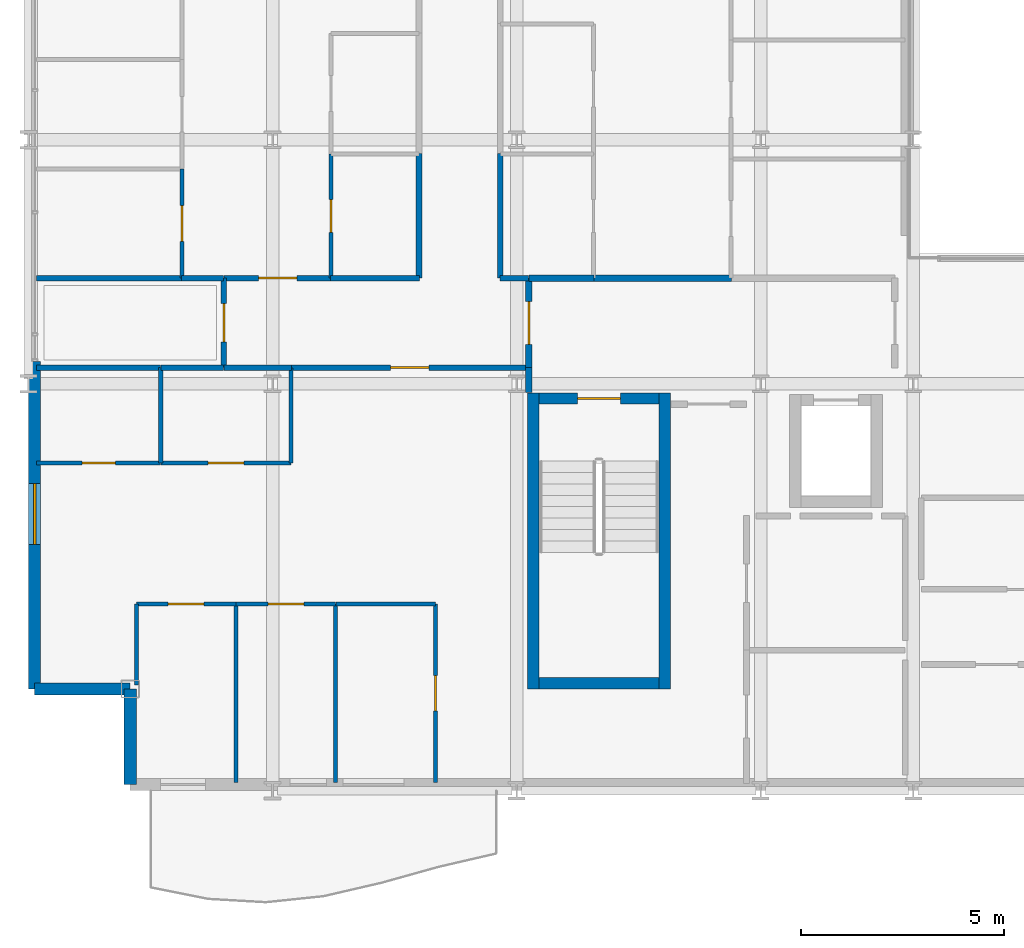
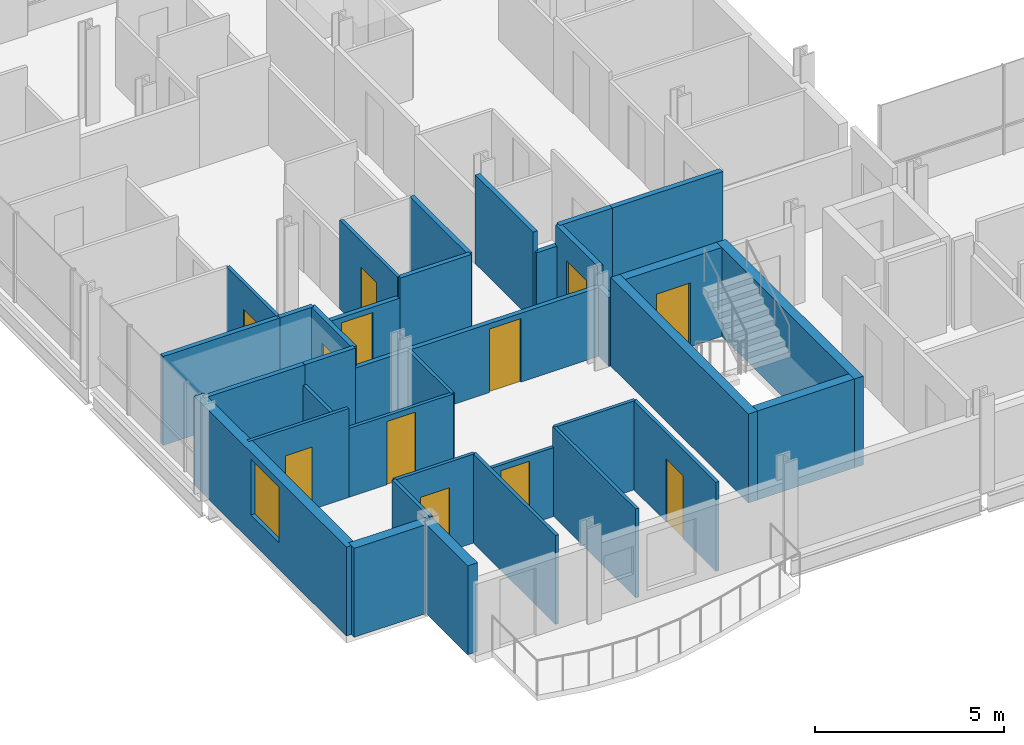
# One storey, part 31 of 41: 36 walls, 12 doors, 1 window, 13 openings.
"""IFC4 building model written with IfcOpenShell, lengths in metres."""

from ifc_helpers import new_model, si_unit, direction, frame, frame_2d, origin, place, context, subcontext, project, spatial, rectangle, extrude, material, layer, layer_set, type_object, element, fill, save


model = new_model("IFC4")

# Units and contexts
model_context = context("Model", 3, precision=1e-05, world=origin(), true_north=direction((0.0, 1.0)))
body_context = subcontext(model_context, "Body", "Model", "MODEL_VIEW")
ifc_project = project(units=[si_unit("LENGTHUNIT", "METRE"), si_unit("AREAUNIT", "SQUARE_METRE"), si_unit("VOLUMEUNIT", "CUBIC_METRE"), si_unit("PLANEANGLEUNIT", "RADIAN"), si_unit("MASSUNIT", "GRAM", prefix="KILO")], contexts=[model_context])

# Site, building, storey
site_placement = place(None, origin())
site = spatial("IfcSite", under=ifc_project, at=site_placement, CompositionType="ELEMENT")
building_placement = place(site_placement, origin())
building = spatial("IfcBuilding", under=site, at=building_placement, Name="Brevholm Reach", CompositionType="ELEMENT")
storey_placement = place(building_placement, frame((0.0, 0.0, 68.300048828125)))
storey = spatial("IfcBuildingStorey", under=building, at=storey_placement, Name="L19", CompositionType="ELEMENT", Elevation=68.300048828125)

# Walls
ifc_material_1 = material(Name="Concrete C50/60", Category="concrete")
ifc_layer_1 = layer(ifc_material_1, 0.280029296875)
ifc_layer_set_1 = layer_set([ifc_layer_1], Name="Concrete C50/60")
wall_type_1 = type_object("IfcWallType", Name="WAL-COR-280", PredefinedType="SHEAR", material=ifc_layer_set_1)
for number, where, z_axis, x_axis, name in (
    (1, (12.409912109375, 2.5, 0.0), (0.0, 0.0, 1.0), (0.0, 1.0, 0.0), "L19 Escape Stair ST-1 Core Wall W"),
    (2, (15.639892578125, 2.5, 0.0), (0.0, 0.0, 1.0), (0.0, 1.0, 0.0), "L19 Escape Stair ST-1 Core Wall E"),
):
    element("IfcWall", number, at=place(storey_placement, frame(where, z_axis=z_axis, x_axis=x_axis)), inside=storey, type_object=wall_type_1, Name=name, PredefinedType="SHEAR", context=body_context, shape_type="SweptSolid", body=[
        extrude(rectangle(XDim=7.280029296875, YDim=0.280029296875, at=frame_2d((3.64013671875, 0.0))), origin(), (0.0, 0.0, 1.0), 2.869873046875),
    ])
wall_1_placement = place(storey_placement, frame((12.550048828125, 2.639892578125, 0.0), z_axis=(0.0, 0.0, 1.0), x_axis=(1.0, 0.0, 0.0)))
element("IfcWall", 3, at=wall_1_placement, inside=storey, type_object=wall_type_1, Name="L19 Escape Stair ST-1 Core Wall S", PredefinedType="SHEAR", context=body_context, shape_type="SweptSolid", body=[
    extrude(rectangle(XDim=2.949951171875, YDim=0.280029296875, at=frame_2d((1.47509765625, 0.0))), origin(), (0.0, 0.0, 1.0), 2.869873046875),
])

# Wall, opening, door
wall_2_placement = place(storey_placement, frame((15.5, 9.639892578125, 0.0), z_axis=(0.0, 0.0, 1.0), x_axis=(-1.0, 0.0, 0.0)))
wall_2 = element("IfcWall", 4, at=wall_2_placement, inside=storey, type_object=wall_type_1, Name="L19 Escape Stair ST-1 Core Wall N", PredefinedType="SHEAR", context=body_context, shape_type="SweptSolid", body=[
    extrude(rectangle(XDim=2.949951171875, YDim=0.280029296875, at=frame_2d((1.47509765625, 0.0))), origin(), (0.0, 0.0, 1.0), 2.869873046875),
])
opening_1_placement = place(wall_2_placement, frame((0.949951171875, 0.0, 0.0)))
opening_1 = element("IfcOpeningElement", 5, at=opening_1_placement, cuts=wall_2, Name="Opening SD-ST-1", PredefinedType="OPENING", context=body_context, shape_type="SweptSolid", body=[
    extrude(rectangle(XDim=1.050048828125, YDim=2.06005859375, at=frame_2d((0.52490234375, 1.030029296875))), frame((0.0, 0.14990234375, 0.0), z_axis=(0.0, -1.0, 0.0), x_axis=(1.0, 0.0, 0.0)), (0.0, 0.0, 1.0), 0.300048828125),
])
ifc_material_2 = material(Name="Hardwood-Lipped Steel-Core Fire and Smoke Door", Category="steel")
door_type_1 = type_object("IfcDoorType", Name="DOR-INT-FD60S", OperationType="NOTDEFINED", PredefinedType="DOOR", material=ifc_material_2)
door_1_placement = place(opening_1_placement, origin())
door_1 = element("IfcDoor", 6, at=door_1_placement, inside=storey, type_object=door_type_1, Name="L19 Protected Stair ST-1 Lobby Door", OperationType="SINGLE_SWING_LEFT", OverallHeight=2.06005859375, OverallWidth=1.050048828125, PredefinedType="DOOR", context=body_context, shape_type="SweptSolid", body=[
    extrude(rectangle(XDim=1.050048828125, YDim=2.06005859375, at=frame_2d((0.52490234375, 1.030029296875))), frame((0.0, 0.02490234375, 0.0), z_axis=(0.0, -1.0, 0.0), x_axis=(1.0, 0.0, 0.0)), (0.0, 0.0, 1.0), 0.050048828125),
])
fill(opening_1, door_1)

# Walls
ifc_material_3 = material(Name="Concrete C40/50", Category="concrete")
ifc_layer_2 = layer(ifc_material_3, 0.300048828125)
ifc_layer_set_2 = layer_set([ifc_layer_2], Name="Concrete C40/50")
wall_type_2 = type_object("IfcWallType", Name="WAL-EXT-300", PredefinedType="STANDARD", material=ifc_layer_set_2)
for number, where, z_axis, x_axis, name in (
    (7, (2.5, 2.5, 0.0), (0.0, 0.0, 1.0), (0.0, -1.0, 0.0), "L19 Facade Wall WAL-L19-CSW1"),
    (8, (0.14990234375, 2.5, 0.0), (0.0, 0.0, 1.0), (1.0, 0.0, 0.0), "L19 Facade Wall WAL-L19-CSW2"),
):
    element("IfcWall", number, at=place(storey_placement, frame(where, z_axis=z_axis, x_axis=x_axis)), inside=storey, type_object=wall_type_2, Name=name, PredefinedType="STANDARD", context=body_context, shape_type="SweptSolid", body=[
        extrude(rectangle(XDim=2.35009765625, YDim=0.300048828125, at=frame_2d((1.175048828125, 0.0))), origin(), (0.0, 0.0, 1.0), 2.869873046875),
    ])

# Wall, opening, window
wall_3_placement = place(storey_placement, frame((0.14990234375, 10.550048828125, 0.0), z_axis=(0.0, 0.0, 1.0), x_axis=(0.0, -1.0, 0.0)))
wall_3 = element("IfcWall", 9, at=wall_3_placement, inside=storey, type_object=wall_type_2, Name="L19 Facade Wall WAL-L19-W-S", PredefinedType="STANDARD", context=body_context, shape_type="SweptSolid", body=[
    extrude(rectangle(XDim=8.050048828125, YDim=0.300048828125, at=frame_2d((4.02490234375, 0.0))), origin(), (0.0, 0.0, 1.0), 2.869873046875),
])
opening_2_placement = place(wall_3_placement, frame((3.0, 0.0, 0.85009765625)))
opening_2 = element("IfcOpeningElement", 10, at=opening_2_placement, cuts=wall_3, Name="Opening WN-05", PredefinedType="OPENING", context=body_context, shape_type="SweptSolid", body=[
    extrude(rectangle(XDim=1.5, YDim=1.800048828125, at=frame_2d((0.75, 0.89990234375))), frame((0.0, 0.159912109375, 0.0), z_axis=(0.0, -1.0, 0.0), x_axis=(1.0, 0.0, 0.0)), (0.0, 0.0, 1.0), 0.320068359375),
])
ifc_material_4 = material(Name="Dark Anodised Aluminium and Solar-Control IGU Glass", Category="aluminium")
window_type = type_object("IfcWindowType", Name="WIN-RES-1500", PartitioningType="SINGLE_PANEL", PredefinedType="WINDOW", material=ifc_material_4)
window_placement = place(opening_2_placement, origin())
window = element("IfcWindow", 11, at=window_placement, inside=storey, type_object=window_type, Name="L19 Window WIN-L19-WS-1", OverallHeight=1.800048828125, OverallWidth=1.5, PartitioningType="SINGLE_PANEL", PredefinedType="WINDOW", context=body_context, shape_type="SweptSolid", body=[
    extrude(rectangle(XDim=1.5, YDim=1.800048828125, at=frame_2d((0.75, 0.89990234375))), frame((0.0, 0.030029296875, 0.0), z_axis=(0.0, -1.0, 0.0), x_axis=(1.0, 0.0, 0.0)), (0.0, 0.0, 1.0), 0.06005859375),
])
fill(opening_2, window)

# Wall
ifc_material_5 = material(Name="Moisture-Resistant Acoustic Gypsum Stud Partition 100 mm", Category="gypsum")
ifc_layer_3 = layer(ifc_material_5, 0.10009765625)
ifc_layer_set_3 = layer_set([ifc_layer_3], Name="Moisture-Resistant Acoustic Gypsum Stud Partition 100 mm")
wall_type_3 = type_object("IfcWallType", Name="WAL-PRT-100", PredefinedType="PARTITIONING", material=ifc_layer_set_3)
wall_4_placement = place(storey_placement, frame((3.25, 8.053955078125, 0.0), z_axis=(0.0, 0.0, 1.0), x_axis=(0.0, 1.0, 0.0)))
element("IfcWall", 12, at=wall_4_placement, inside=storey, type_object=wall_type_3, Name="L19 Internal Partition 064", PredefinedType="PARTITIONING", context=body_context, shape_type="SweptSolid", body=[
    extrude(rectangle(XDim=2.345947265625, YDim=0.10009765625, at=frame_2d((1.1728515625, 0.0))), origin(), (0.0, 0.0, 1.0), 2.224853515625),
])

# Wall, opening, door
wall_5_placement = place(storey_placement, frame((0.199951171875, 8.053955078125, 0.0), z_axis=(0.0, 0.0, 1.0), x_axis=(1.0, 0.0, 0.0)))
wall_5 = element("IfcWall", 13, at=wall_5_placement, inside=storey, type_object=wall_type_3, Name="L19 Internal Partition 065", PredefinedType="PARTITIONING", context=body_context, shape_type="SweptSolid", body=[
    extrude(rectangle(XDim=3.050048828125, YDim=0.10009765625, at=frame_2d((1.52490234375, 0.0))), origin(), (0.0, 0.0, 1.0), 2.869873046875),
])
opening_3_placement = place(wall_5_placement, frame((1.114990234375, 0.0, 0.0)))
opening_3 = element("IfcOpeningElement", 14, at=opening_3_placement, cuts=wall_5, Name="Opening ID-03", PredefinedType="OPENING", context=body_context, shape_type="SweptSolid", body=[
    extrude(rectangle(XDim=0.820068359375, YDim=2.02001953125, at=frame_2d((0.41015625, 1.010009765625))), frame((0.0, 0.06005859375, 0.0), z_axis=(0.0, -1.0, 0.0), x_axis=(1.0, 0.0, 0.0)), (0.0, 0.0, 1.0), 0.1201171875),
])
ifc_material_6 = material(Name="Moisture-Resistant Painted Timber Internal Bathroom Door", Category="wood")
door_type_2 = type_object("IfcDoorType", Name="DOR-BATH-820", OperationType="NOTDEFINED", PredefinedType="DOOR", material=ifc_material_6)
door_2_placement = place(opening_3_placement, origin())
door_2 = element("IfcDoor", 15, at=door_2_placement, inside=storey, type_object=door_type_2, Name="L19 Internal Door 024", OperationType="SINGLE_SWING_RIGHT", OverallHeight=2.02001953125, OverallWidth=0.820068359375, PredefinedType="DOOR", context=body_context, shape_type="SweptSolid", body=[
    extrude(rectangle(XDim=0.820068359375, YDim=2.02001953125, at=frame_2d((0.41015625, 1.010009765625))), frame((0.0, 0.02490234375, 0.0), z_axis=(0.0, -1.0, 0.0), x_axis=(1.0, 0.0, 0.0)), (0.0, 0.0, 1.0), 0.050048828125),
])
fill(opening_3, door_2)

wall_6_placement = place(storey_placement, frame((3.25390625, 8.053955078125, 0.0), z_axis=(0.0, 0.0, 1.0), x_axis=(1.0, 0.0, 0.0)))
wall_6 = element("IfcWall", 16, at=wall_6_placement, inside=storey, type_object=wall_type_3, Name="L19 Internal Partition 067", PredefinedType="PARTITIONING", context=body_context, shape_type="SweptSolid", body=[
    extrude(rectangle(XDim=3.196044921875, YDim=0.10009765625, at=frame_2d((1.59814453125, 0.0))), origin(), (0.0, 0.0, 1.0), 2.224853515625),
])
opening_4_placement = place(wall_6_placement, frame((1.157958984375, 0.0, 0.0)))
opening_4 = element("IfcOpeningElement", 17, at=opening_4_placement, cuts=wall_6, Name="Opening ID-01", PredefinedType="OPENING", context=body_context, shape_type="SweptSolid", body=[
    extrude(rectangle(XDim=0.8798828125, YDim=2.0400390625, at=frame_2d((0.43994140625, 1.02001953125))), frame((0.0, 0.06005859375, 0.0), z_axis=(0.0, -1.0, 0.0), x_axis=(1.0, 0.0, 0.0)), (0.0, 0.0, 1.0), 0.1201171875),
])
ifc_material_7 = material(Name="Lacquered Ash Solid-Core Acoustic Internal Door", Category="timber")
door_type_3 = type_object("IfcDoorType", Name="DOR-INT-880", OperationType="NOTDEFINED", PredefinedType="DOOR", material=ifc_material_7)
door_3_placement = place(opening_4_placement, origin())
door_3 = element("IfcDoor", 18, at=door_3_placement, inside=storey, type_object=door_type_3, Name="L19 Internal Door 025", OperationType="SINGLE_SWING_LEFT", OverallHeight=2.0400390625, OverallWidth=0.8798828125, PredefinedType="DOOR", context=body_context, shape_type="SweptSolid", body=[
    extrude(rectangle(XDim=0.8798828125, YDim=2.0400390625, at=frame_2d((0.43994140625, 1.02001953125))), frame((0.0, 0.02490234375, 0.0), z_axis=(0.0, -1.0, 0.0), x_axis=(1.0, 0.0, 0.0)), (0.0, 0.0, 1.0), 0.050048828125),
])
fill(opening_4, door_3)

# Walls
wall_7_placement = place(storey_placement, frame((6.449951171875, 8.053955078125, 0.0), z_axis=(0.0, 0.0, 1.0), x_axis=(0.0, 1.0, 0.0)))
element("IfcWall", 19, at=wall_7_placement, inside=storey, type_object=wall_type_3, Name="L19 Internal Partition 068", PredefinedType="PARTITIONING", context=body_context, shape_type="SweptSolid", body=[
    extrude(rectangle(XDim=2.342041015625, YDim=0.10009765625, at=frame_2d((1.1708984375, 0.0))), origin(), (0.0, 0.0, 1.0), 2.224853515625),
])
wall_8_placement = place(storey_placement, frame((5.10009765625, 0.199951171875, 0.0), z_axis=(0.0, 0.0, 1.0), x_axis=(0.0, 1.0, 0.0)))
element("IfcWall", 20, at=wall_8_placement, inside=storey, type_object=wall_type_3, Name="L19 Internal Partition 070", PredefinedType="PARTITIONING", context=body_context, shape_type="SweptSolid", body=[
    extrude(rectangle(XDim=4.385986328125, YDim=0.10009765625, at=frame_2d((2.19287109375, 0.0))), origin(), (0.0, 0.0, 1.0), 2.869873046875),
])
wall_9_placement = place(storey_placement, frame((2.64990234375, 2.599365234375, 0.0), z_axis=(0.0, 0.0, 1.0), x_axis=(0.0, 1.0, 0.0)))
element("IfcWall", 21, at=wall_9_placement, inside=storey, type_object=wall_type_3, Name="L19 Internal Partition 071", PredefinedType="PARTITIONING", context=body_context, shape_type="SweptSolid", body=[
    extrude(rectangle(XDim=1.986572265625, YDim=0.10009765625, at=frame_2d((0.9931640625, 0.0))), origin(), (0.0, 0.0, 1.0), 2.869873046875),
])

# Wall, opening, door
wall_10_placement = place(storey_placement, frame((2.64990234375, 4.5859375, 0.0), z_axis=(0.0, 0.0, 1.0), x_axis=(1.0, 0.0, 0.0)))
wall_10 = element("IfcWall", 22, at=wall_10_placement, inside=storey, type_object=wall_type_3, Name="L19 Internal Partition 072", PredefinedType="PARTITIONING", context=body_context, shape_type="SweptSolid", body=[
    extrude(rectangle(XDim=2.4501953125, YDim=0.10009765625, at=frame_2d((1.22509765625, 0.0))), origin(), (0.0, 0.0, 1.0), 2.869873046875),
])
opening_5_placement = place(wall_10_placement, frame((0.784912109375, 0.0, 0.0)))
opening_5 = element("IfcOpeningElement", 23, at=opening_5_placement, cuts=wall_10, Name="Opening ID-01", PredefinedType="OPENING", context=body_context, shape_type="SweptSolid", body=[
    extrude(rectangle(XDim=0.8798828125, YDim=2.0400390625, at=frame_2d((0.43994140625, 1.02001953125))), frame((0.0, 0.06005859375, 0.0), z_axis=(0.0, -1.0, 0.0), x_axis=(1.0, 0.0, 0.0)), (0.0, 0.0, 1.0), 0.1201171875),
])
door_4_placement = place(opening_5_placement, origin())
door_4 = element("IfcDoor", 24, at=door_4_placement, inside=storey, type_object=door_type_3, Name="L19 Internal Door 026", OperationType="SINGLE_SWING_RIGHT", OverallHeight=2.0400390625, OverallWidth=0.8798828125, PredefinedType="DOOR", context=body_context, shape_type="SweptSolid", body=[
    extrude(rectangle(XDim=0.8798828125, YDim=2.0400390625, at=frame_2d((0.43994140625, 1.02001953125))), frame((0.0, 0.02490234375, 0.0), z_axis=(0.0, -1.0, 0.0), x_axis=(1.0, 0.0, 0.0)), (0.0, 0.0, 1.0), 0.050048828125),
])
fill(opening_5, door_4)

# Wall
wall_11_placement = place(storey_placement, frame((7.550048828125, 0.199951171875, 0.0), z_axis=(0.0, 0.0, 1.0), x_axis=(0.0, 1.0, 0.0)))
element("IfcWall", 25, at=wall_11_placement, inside=storey, type_object=wall_type_3, Name="L19 Internal Partition 073", PredefinedType="PARTITIONING", context=body_context, shape_type="SweptSolid", body=[
    extrude(rectangle(XDim=4.385986328125, YDim=0.10009765625, at=frame_2d((2.19287109375, 0.0))), origin(), (0.0, 0.0, 1.0), 2.869873046875),
])

# Wall, opening, door
wall_12_placement = place(storey_placement, frame((5.10400390625, 4.5859375, 0.0), z_axis=(0.0, 0.0, 1.0), x_axis=(1.0, 0.0, 0.0)))
wall_12 = element("IfcWall", 26, at=wall_12_placement, inside=storey, type_object=wall_type_3, Name="L19 Internal Partition 074", PredefinedType="PARTITIONING", context=body_context, shape_type="SweptSolid", body=[
    extrude(rectangle(XDim=2.446044921875, YDim=0.10009765625, at=frame_2d((1.22314453125, 0.0))), origin(), (0.0, 0.0, 1.0), 2.224853515625),
])
opening_6_placement = place(wall_12_placement, frame((0.782958984375, 0.0, 0.0)))
opening_6 = element("IfcOpeningElement", 27, at=opening_6_placement, cuts=wall_12, Name="Opening ID-01", PredefinedType="OPENING", context=body_context, shape_type="SweptSolid", body=[
    extrude(rectangle(XDim=0.8798828125, YDim=2.0400390625, at=frame_2d((0.43994140625, 1.02001953125))), frame((0.0, 0.06005859375, 0.0), z_axis=(0.0, -1.0, 0.0), x_axis=(1.0, 0.0, 0.0)), (0.0, 0.0, 1.0), 0.1201171875),
])
door_5_placement = place(opening_6_placement, origin())
door_5 = element("IfcDoor", 28, at=door_5_placement, inside=storey, type_object=door_type_3, Name="L19 Internal Door 027", OperationType="SINGLE_SWING_LEFT", OverallHeight=2.0400390625, OverallWidth=0.8798828125, PredefinedType="DOOR", context=body_context, shape_type="SweptSolid", body=[
    extrude(rectangle(XDim=0.8798828125, YDim=2.0400390625, at=frame_2d((0.43994140625, 1.02001953125))), frame((0.0, 0.02490234375, 0.0), z_axis=(0.0, -1.0, 0.0), x_axis=(1.0, 0.0, 0.0)), (0.0, 0.0, 1.0), 0.050048828125),
])
fill(opening_6, door_5)

wall_13_placement = place(storey_placement, frame((10.0, 0.199951171875, 0.0), z_axis=(0.0, 0.0, 1.0), x_axis=(0.0, 1.0, 0.0)))
wall_13 = element("IfcWall", 29, at=wall_13_placement, inside=storey, type_object=wall_type_3, Name="L19 Internal Partition 075", PredefinedType="PARTITIONING", context=body_context, shape_type="SweptSolid", body=[
    extrude(rectangle(XDim=4.385986328125, YDim=0.10009765625, at=frame_2d((2.19287109375, 0.0))), origin(), (0.0, 0.0, 1.0), 2.869873046875),
])
opening_7_placement = place(wall_13_placement, frame((1.7529296875, 0.0, 0.0)))
opening_7 = element("IfcOpeningElement", 30, at=opening_7_placement, cuts=wall_13, Name="Opening ID-01", PredefinedType="OPENING", context=body_context, shape_type="SweptSolid", body=[
    extrude(rectangle(XDim=0.8798828125, YDim=2.0400390625, at=frame_2d((0.43994140625, 1.02001953125))), frame((0.0, 0.06005859375, 0.0), z_axis=(0.0, -1.0, 0.0), x_axis=(1.0, 0.0, 0.0)), (0.0, 0.0, 1.0), 0.1201171875),
])
door_6_placement = place(opening_7_placement, origin())
door_6 = element("IfcDoor", 31, at=door_6_placement, inside=storey, type_object=door_type_3, Name="L19 Internal Door 028", OperationType="SINGLE_SWING_RIGHT", OverallHeight=2.0400390625, OverallWidth=0.8798828125, PredefinedType="DOOR", context=body_context, shape_type="SweptSolid", body=[
    extrude(rectangle(XDim=0.8798828125, YDim=2.0400390625, at=frame_2d((0.43994140625, 1.02001953125))), frame((0.0, 0.02490234375, 0.0), z_axis=(0.0, -1.0, 0.0), x_axis=(1.0, 0.0, 0.0)), (0.0, 0.0, 1.0), 0.050048828125),
])
fill(opening_7, door_6)

# Wall
wall_14_placement = place(storey_placement, frame((7.553955078125, 4.5859375, 0.0), z_axis=(0.0, 0.0, 1.0), x_axis=(1.0, 0.0, 0.0)))
element("IfcWall", 32, at=wall_14_placement, inside=storey, type_object=wall_type_3, Name="L19 Internal Partition 076", PredefinedType="PARTITIONING", context=body_context, shape_type="SweptSolid", body=[
    extrude(rectangle(XDim=2.446044921875, YDim=0.10009765625, at=frame_2d((1.22314453125, 0.0))), origin(), (0.0, 0.0, 1.0), 2.869873046875),
])

# Wall, opening, door
wall_15_placement = place(storey_placement, frame((7.43798828125, 12.60400390625, 0.0), z_axis=(0.0, 0.0, 1.0), x_axis=(0.0, 1.0, 0.0)))
wall_15 = element("IfcWall", 33, at=wall_15_placement, inside=storey, type_object=wall_type_3, Name="L19 Internal Partition 092", PredefinedType="PARTITIONING", context=body_context, shape_type="SweptSolid", body=[
    extrude(rectangle(XDim=3.0458984375, YDim=0.10009765625, at=frame_2d((1.52294921875, 0.0))), origin(), (0.0, 0.0, 1.0), 2.869873046875),
])
opening_8_placement = place(wall_15_placement, frame((1.113037109375, 0.0, 0.0)))
opening_8 = element("IfcOpeningElement", 34, at=opening_8_placement, cuts=wall_15, Name="Opening ID-03", PredefinedType="OPENING", context=body_context, shape_type="SweptSolid", body=[
    extrude(rectangle(XDim=0.820068359375, YDim=2.02001953125, at=frame_2d((0.41015625, 1.010009765625))), frame((0.0, 0.06005859375, 0.0), z_axis=(0.0, -1.0, 0.0), x_axis=(1.0, 0.0, 0.0)), (0.0, 0.0, 1.0), 0.1201171875),
])
door_7_placement = place(opening_8_placement, origin())
door_7 = element("IfcDoor", 35, at=door_7_placement, inside=storey, type_object=door_type_2, Name="L19 Internal Door 033", OperationType="SINGLE_SWING_LEFT", OverallHeight=2.02001953125, OverallWidth=0.820068359375, PredefinedType="DOOR", context=body_context, shape_type="SweptSolid", body=[
    extrude(rectangle(XDim=0.820068359375, YDim=2.02001953125, at=frame_2d((0.41015625, 1.010009765625))), frame((0.0, 0.02490234375, 0.0), z_axis=(0.0, -1.0, 0.0), x_axis=(1.0, 0.0, 0.0)), (0.0, 0.0, 1.0), 0.050048828125),
])
fill(opening_8, door_7)

wall_16_placement = place(storey_placement, frame((3.77197265625, 12.60400390625, 0.0), z_axis=(0.0, 0.0, 1.0), x_axis=(0.0, 1.0, 0.0)))
wall_16 = element("IfcWall", 36, at=wall_16_placement, inside=storey, type_object=wall_type_3, Name="L19 Internal Partition 096", PredefinedType="PARTITIONING", context=body_context, shape_type="SweptSolid", body=[
    extrude(rectangle(XDim=2.680908203125, YDim=0.10009765625, at=frame_2d((1.34033203125, 0.0))), origin(), (0.0, 0.0, 1.0), 2.869873046875),
])
opening_9_placement = place(wall_16_placement, frame((0.900390625, 0.0, 0.0)))
opening_9 = element("IfcOpeningElement", 37, at=opening_9_placement, cuts=wall_16, Name="Opening ID-01", PredefinedType="OPENING", context=body_context, shape_type="SweptSolid", body=[
    extrude(rectangle(XDim=0.8798828125, YDim=2.0400390625, at=frame_2d((0.43994140625, 1.02001953125))), frame((0.0, 0.06005859375, 0.0), z_axis=(0.0, -1.0, 0.0), x_axis=(1.0, 0.0, 0.0)), (0.0, 0.0, 1.0), 0.1201171875),
])
door_8_placement = place(opening_9_placement, origin())
door_8 = element("IfcDoor", 38, at=door_8_placement, inside=storey, type_object=door_type_3, Name="L19 Internal Door 035", OperationType="SINGLE_SWING_LEFT", OverallHeight=2.0400390625, OverallWidth=0.8798828125, PredefinedType="DOOR", context=body_context, shape_type="SweptSolid", body=[
    extrude(rectangle(XDim=0.8798828125, YDim=2.0400390625, at=frame_2d((0.43994140625, 1.02001953125))), frame((0.0, 0.02490234375, 0.0), z_axis=(0.0, -1.0, 0.0), x_axis=(1.0, 0.0, 0.0)), (0.0, 0.0, 1.0), 0.050048828125),
])
fill(opening_9, door_8)

# Wall
ifc_material_8 = material(Name="Twin-Stud Acoustic Fire-Rated Gypsum Partition 140 mm", Category="gypsum")
ifc_layer_4 = layer(ifc_material_8, 0.139892578125)
ifc_layer_set_4 = layer_set([ifc_layer_4], Name="Twin-Stud Acoustic Fire-Rated Gypsum Partition 140 mm")
wall_type_4 = type_object("IfcWallType", Name="WAL-PRT-140", PredefinedType="PARTITIONING", material=ifc_layer_set_4)
wall_17_placement = place(storey_placement, frame((4.800048828125, 10.39990234375, 0.0), z_axis=(0.0, 0.0, 1.0), x_axis=(1.0, 0.0, 0.0)))
element("IfcWall", 39, at=wall_17_placement, inside=storey, type_object=wall_type_4, Name="L19 Internal Partition 029", PredefinedType="PARTITIONING", context=body_context, shape_type="SweptSolid", body=[
    extrude(rectangle(XDim=1.6611328125, YDim=0.139892578125, at=frame_2d((0.83056640625, 0.0))), origin(), (0.0, 0.0, 1.0), 2.224853515625),
])

# Wall, opening, door
wall_18_placement = place(storey_placement, frame((6.442626953125, 10.39990234375, 0.0), z_axis=(0.0, 0.0, 1.0), x_axis=(1.0, 0.0, 0.0)))
wall_18 = element("IfcWall", 40, at=wall_18_placement, inside=storey, type_object=wall_type_4, Name="L19 Internal Partition 030", PredefinedType="PARTITIONING", context=body_context, shape_type="SweptSolid", body=[
    extrude(rectangle(XDim=5.853271484375, YDim=0.139892578125, at=frame_2d((2.9267578125, 0.0))), origin(), (0.0, 0.0, 1.0), 2.224853515625),
])
opening_10_placement = place(wall_18_placement, frame((2.45166015625, 0.0, 0.0)))
opening_10 = element("IfcOpeningElement", 41, at=opening_10_placement, cuts=wall_18, Name="Opening ID-30", PredefinedType="OPENING", context=body_context, shape_type="SweptSolid", body=[
    extrude(rectangle(XDim=0.949951171875, YDim=2.050048828125, at=frame_2d((0.47509765625, 1.02490234375))), frame((0.0, 0.079833984375, 0.0), z_axis=(0.0, -1.0, 0.0), x_axis=(1.0, 0.0, 0.0)), (0.0, 0.0, 1.0), 0.159912109375),
])
ifc_material_9 = material(Name="European Oak Veneered Solid-Core Fire Entrance Door", Category="timber")
door_type_4 = type_object("IfcDoorType", Name="DOR-FLT-FD30S", OperationType="NOTDEFINED", PredefinedType="DOOR", material=ifc_material_9)
door_9_placement = place(opening_10_placement, origin())
door_9 = element("IfcDoor", 42, at=door_9_placement, inside=storey, type_object=door_type_4, Name="L19 Internal Door 015", OperationType="SINGLE_SWING_LEFT", OverallHeight=2.050048828125, OverallWidth=0.949951171875, PredefinedType="DOOR", context=body_context, shape_type="SweptSolid", body=[
    extrude(rectangle(XDim=0.949951171875, YDim=2.050048828125, at=frame_2d((0.47509765625, 1.02490234375))), frame((0.0, 0.02490234375, 0.0), z_axis=(0.0, -1.0, 0.0), x_axis=(1.0, 0.0, 0.0)), (0.0, 0.0, 1.0), 0.050048828125),
])
fill(opening_10, door_9)

wall_19_placement = place(storey_placement, frame((4.800048828125, 10.39990234375, 0.0), z_axis=(0.0, 0.0, 1.0), x_axis=(0.0, 1.0, 0.0)))
wall_19 = element("IfcWall", 43, at=wall_19_placement, inside=storey, type_object=wall_type_4, Name="L19 Internal Partition 031", PredefinedType="PARTITIONING", context=body_context, shape_type="SweptSolid", body=[
    extrude(rectangle(XDim=2.2001953125, YDim=0.139892578125, at=frame_2d((1.10009765625, 0.0))), origin(), (0.0, 0.0, 1.0), 2.869873046875),
])
opening_11_placement = place(wall_19_placement, frame((0.625, 0.0, 0.0)))
opening_11 = element("IfcOpeningElement", 44, at=opening_11_placement, cuts=wall_19, Name="Opening ID-30", PredefinedType="OPENING", context=body_context, shape_type="SweptSolid", body=[
    extrude(rectangle(XDim=0.949951171875, YDim=2.050048828125, at=frame_2d((0.47509765625, 1.02490234375))), frame((0.0, 0.079833984375, 0.0), z_axis=(0.0, -1.0, 0.0), x_axis=(1.0, 0.0, 0.0)), (0.0, 0.0, 1.0), 0.159912109375),
])
door_10_placement = place(opening_11_placement, origin())
door_10 = element("IfcDoor", 45, at=door_10_placement, inside=storey, type_object=door_type_4, Name="L19 Internal Door 016", OperationType="SINGLE_SWING_RIGHT", OverallHeight=2.050048828125, OverallWidth=0.949951171875, PredefinedType="DOOR", context=body_context, shape_type="SweptSolid", body=[
    extrude(rectangle(XDim=0.949951171875, YDim=2.050048828125, at=frame_2d((0.47509765625, 1.02490234375))), frame((0.0, 0.02490234375, 0.0), z_axis=(0.0, -1.0, 0.0), x_axis=(1.0, 0.0, 0.0)), (0.0, 0.0, 1.0), 0.050048828125),
])
fill(opening_11, door_10)

# Wall
wall_20_placement = place(storey_placement, frame((7.4267578125, 12.60009765625, 0.0), z_axis=(0.0, 0.0, 1.0), x_axis=(1.0, 0.0, 0.0)))
element("IfcWall", 46, at=wall_20_placement, inside=storey, type_object=wall_type_4, Name="L19 Internal Partition 032", PredefinedType="PARTITIONING", context=body_context, shape_type="SweptSolid", body=[
    extrude(rectangle(XDim=2.1806640625, YDim=0.139892578125, at=frame_2d((1.09033203125, 0.0))), origin(), (0.0, 0.0, 1.0), 2.869873046875),
])

# Wall, opening, door
wall_21_placement = place(storey_placement, frame((4.800048828125, 12.60009765625, 0.0), z_axis=(0.0, 0.0, 1.0), x_axis=(1.0, 0.0, 0.0)))
wall_21 = element("IfcWall", 47, at=wall_21_placement, inside=storey, type_object=wall_type_4, Name="L19 Internal Partition 033", PredefinedType="PARTITIONING", context=body_context, shape_type="SweptSolid", body=[
    extrude(rectangle(XDim=2.645263671875, YDim=0.139892578125, at=frame_2d((1.32275390625, 0.0))), origin(), (0.0, 0.0, 1.0), 2.224853515625),
])
opening_12_placement = place(wall_21_placement, frame((0.84765625, 0.0, 0.0)))
opening_12 = element("IfcOpeningElement", 48, at=opening_12_placement, cuts=wall_21, Name="Opening ID-30", PredefinedType="OPENING", context=body_context, shape_type="SweptSolid", body=[
    extrude(rectangle(XDim=0.949951171875, YDim=2.050048828125, at=frame_2d((0.47509765625, 1.02490234375))), frame((0.0, 0.079833984375, 0.0), z_axis=(0.0, -1.0, 0.0), x_axis=(1.0, 0.0, 0.0)), (0.0, 0.0, 1.0), 0.159912109375),
])
door_11_placement = place(opening_12_placement, origin())
door_11 = element("IfcDoor", 49, at=door_11_placement, inside=storey, type_object=door_type_4, Name="L19 Internal Door 017", OperationType="SINGLE_SWING_LEFT", OverallHeight=2.050048828125, OverallWidth=0.949951171875, PredefinedType="DOOR", context=body_context, shape_type="SweptSolid", body=[
    extrude(rectangle(XDim=0.949951171875, YDim=2.050048828125, at=frame_2d((0.47509765625, 1.02490234375))), frame((0.0, 0.02490234375, 0.0), z_axis=(0.0, -1.0, 0.0), x_axis=(1.0, 0.0, 0.0)), (0.0, 0.0, 1.0), 0.050048828125),
])
fill(opening_12, door_11)

# Walls
wall_22_placement = place(storey_placement, frame((11.5927734375, 12.60009765625, 0.0), z_axis=(0.0, 0.0, 1.0), x_axis=(1.0, 0.0, 0.0)))
element("IfcWall", 50, at=wall_22_placement, inside=storey, type_object=wall_type_4, Name="L19 Internal Partition 034", PredefinedType="PARTITIONING", context=body_context, shape_type="SweptSolid", body=[
    extrude(rectangle(XDim=0.703125, YDim=0.139892578125, at=frame_2d((0.3515625, 0.0))), origin(), (0.0, 0.0, 1.0), 2.224853515625),
])
for number, where, z_axis, x_axis, name in (
    (51, (9.60009765625, 12.60400390625, 0.0), (0.0, 0.0, 1.0), (0.0, 1.0, 0.0), "L19 Internal Partition 038"),
    (52, (11.60009765625, 12.60400390625, 0.0), (0.0, 0.0, 1.0), (0.0, 1.0, 0.0), "L19 Internal Partition 044"),
):
    element("IfcWall", number, at=place(storey_placement, frame(where, z_axis=z_axis, x_axis=x_axis)), inside=storey, type_object=wall_type_4, Name=name, PredefinedType="PARTITIONING", context=body_context, shape_type="SweptSolid", body=[
        extrude(rectangle(XDim=3.057373046875, YDim=0.139892578125, at=frame_2d((1.52880859375, 0.0))), origin(), (0.0, 0.0, 1.0), 2.869873046875),
    ])
wall_23_placement = place(storey_placement, frame((0.199951171875, 10.39990234375, 0.0), z_axis=(0.0, 0.0, 1.0), x_axis=(1.0, 0.0, 0.0)))
element("IfcWall", 53, at=wall_23_placement, inside=storey, type_object=wall_type_4, Name="L19 Internal Partition 066", PredefinedType="PARTITIONING", context=body_context, shape_type="SweptSolid", body=[
    extrude(rectangle(XDim=3.050048828125, YDim=0.139892578125, at=frame_2d((1.52490234375, 0.0))), origin(), (0.0, 0.0, 1.0), 2.869873046875),
])
wall_24_placement = place(storey_placement, frame((3.25390625, 10.39990234375, 0.0), z_axis=(0.0, 0.0, 1.0), x_axis=(1.0, 0.0, 0.0)))
element("IfcWall", 54, at=wall_24_placement, inside=storey, type_object=wall_type_4, Name="L19 Internal Partition 069", PredefinedType="PARTITIONING", context=body_context, shape_type="SweptSolid", body=[
    extrude(rectangle(XDim=1.5419921875, YDim=0.139892578125, at=frame_2d((0.77099609375, 0.0))), origin(), (0.0, 0.0, 1.0), 2.869873046875),
])
wall_25_placement = place(storey_placement, frame((0.199951171875, 12.60009765625, 0.0), z_axis=(0.0, 0.0, 1.0), x_axis=(1.0, 0.0, 0.0)))
element("IfcWall", 55, at=wall_25_placement, inside=storey, type_object=wall_type_4, Name="L19 Internal Partition 077", PredefinedType="PARTITIONING", context=body_context, shape_type="SweptSolid", body=[
    extrude(rectangle(XDim=3.583251953125, YDim=0.139892578125, at=frame_2d((1.79150390625, 0.0))), origin(), (0.0, 0.0, 1.0), 2.869873046875),
])
wall_26_placement = place(storey_placement, frame((3.7646484375, 12.60009765625, 0.0), z_axis=(0.0, 0.0, 1.0), x_axis=(1.0, 0.0, 0.0)))
element("IfcWall", 56, at=wall_26_placement, inside=storey, type_object=wall_type_4, Name="L19 Internal Partition 078", PredefinedType="PARTITIONING", context=body_context, shape_type="SweptSolid", body=[
    extrude(rectangle(XDim=1.03125, YDim=0.139892578125, at=frame_2d((0.515625, 0.0))), origin(), (0.0, 0.0, 1.0), 2.869873046875),
])

# Wall, opening, door
ifc_material_10 = material(Name="Twin-Frame Fire-Rated Gypsum Board and Mineral Wool 160 mm", Category="gypsum")
ifc_layer_5 = layer(ifc_material_10, 0.159912109375)
ifc_layer_set_5 = layer_set([ifc_layer_5], Name="Twin-Frame Fire-Rated Gypsum Board and Mineral Wool 160 mm")
wall_type_5 = type_object("IfcWallType", Name="WAL-PRT-160", PredefinedType="PARTITIONING", material=ifc_layer_set_5)
wall_27_placement = place(storey_placement, frame((12.300048828125, 10.388671875, 0.0), z_axis=(0.0, 0.0, 1.0), x_axis=(0.0, 1.0, 0.0)))
wall_27 = element("IfcWall", 57, at=wall_27_placement, inside=storey, type_object=wall_type_5, Name="L19 Internal Partition 018", PredefinedType="PARTITIONING", context=body_context, shape_type="SweptSolid", body=[
    extrude(rectangle(XDim=2.21142578125, YDim=0.159912109375, at=frame_2d((1.105712890625, 0.0))), origin(), (0.0, 0.0, 1.0), 2.869873046875),
])
opening_13_placement = place(wall_27_placement, frame((0.58056640625, 0.0, 0.0)))
opening_13 = element("IfcOpeningElement", 58, at=opening_13_placement, cuts=wall_27, Name="Opening FD-01", PredefinedType="OPENING", context=body_context, shape_type="SweptSolid", body=[
    extrude(rectangle(XDim=1.050048828125, YDim=2.06005859375, at=frame_2d((0.52490234375, 1.030029296875))), frame((0.0, 0.08984375, 0.0), z_axis=(0.0, -1.0, 0.0), x_axis=(1.0, 0.0, 0.0)), (0.0, 0.0, 1.0), 0.179931640625),
])
door_12_placement = place(opening_13_placement, origin())
door_12 = element("IfcDoor", 59, at=door_12_placement, inside=storey, type_object=door_type_1, Name="L19 Internal Door 011", OperationType="SINGLE_SWING_LEFT", OverallHeight=2.06005859375, OverallWidth=1.050048828125, PredefinedType="DOOR", context=body_context, shape_type="SweptSolid", body=[
    extrude(rectangle(XDim=1.050048828125, YDim=2.06005859375, at=frame_2d((0.52490234375, 1.030029296875))), frame((0.0, 0.02490234375, 0.0), z_axis=(0.0, -1.0, 0.0), x_axis=(1.0, 0.0, 0.0)), (0.0, 0.0, 1.0), 0.050048828125),
])
fill(opening_13, door_12)

# Walls
wall_28_placement = place(storey_placement, frame((12.300048828125, 9.7900390625, 0.0), z_axis=(0.0, 0.0, 1.0), x_axis=(0.0, 1.0, 0.0)))
element("IfcWall", 60, at=wall_28_placement, inside=storey, type_object=wall_type_5, Name="L19 Internal Partition 020", PredefinedType="PARTITIONING", context=body_context, shape_type="SweptSolid", body=[
    extrude(rectangle(XDim=0.6171875, YDim=0.159912109375, at=frame_2d((0.30859375, 0.0))), origin(), (0.0, 0.0, 1.0), 2.224853515625),
])
wall_29_placement = place(storey_placement, frame((12.300048828125, 12.60009765625, 0.0), z_axis=(0.0, 0.0, 1.0), x_axis=(1.0, 0.0, 0.0)))
element("IfcWall", 61, at=wall_29_placement, inside=storey, type_object=wall_type_5, Name="L19 Internal Partition 021", PredefinedType="PARTITIONING", context=body_context, shape_type="SweptSolid", body=[
    extrude(rectangle(XDim=1.600341796875, YDim=0.159912109375, at=frame_2d((0.80029296875, 0.0))), origin(), (0.0, 0.0, 1.0), 2.869873046875),
])
wall_30_placement = place(storey_placement, frame((13.881591796875, 12.60009765625, 0.0), z_axis=(0.0, 0.0, 1.0), x_axis=(1.0, 0.0, 0.0)))
element("IfcWall", 62, at=wall_30_placement, inside=storey, type_object=wall_type_5, Name="L19 Internal Partition 023", PredefinedType="PARTITIONING", context=body_context, shape_type="SweptSolid", body=[
    extrude(rectangle(XDim=3.396728515625, YDim=0.159912109375, at=frame_2d((1.6982421875, 0.0))), origin(), (0.0, 0.0, 1.0), 2.869873046875),
])

save(model, "model.ifc")
